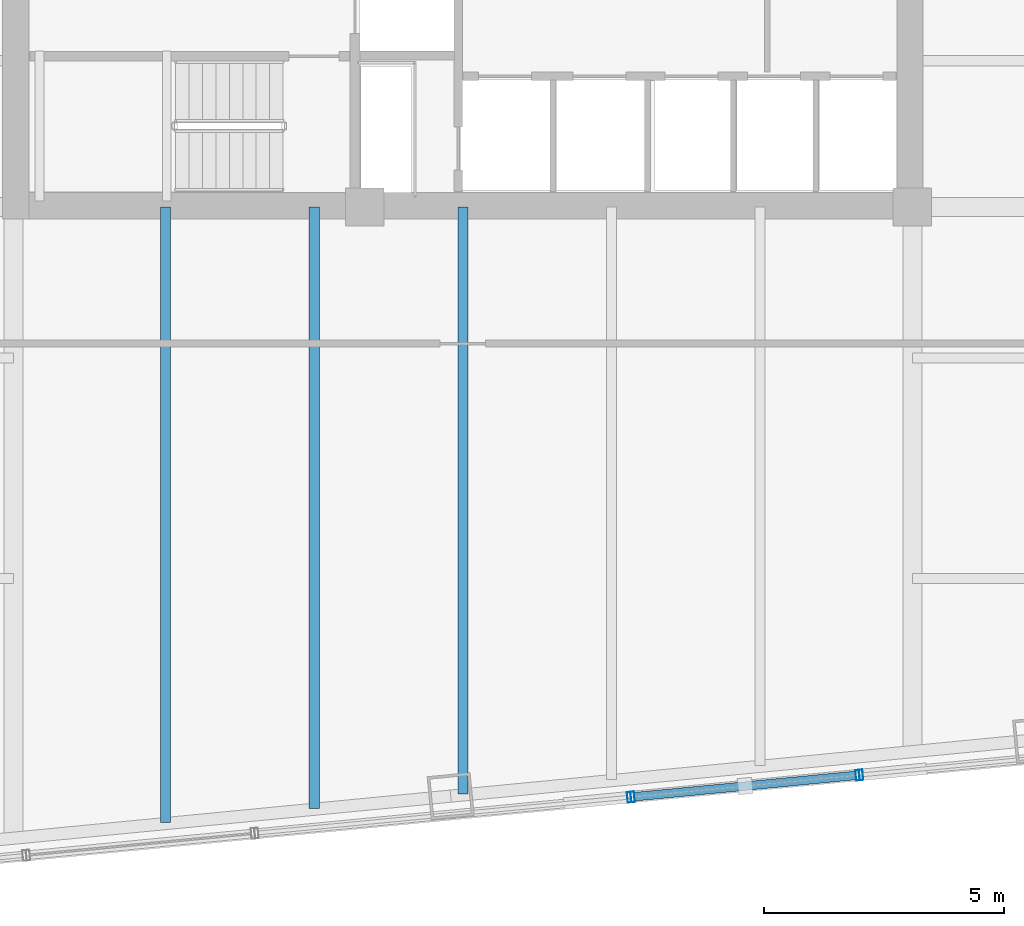
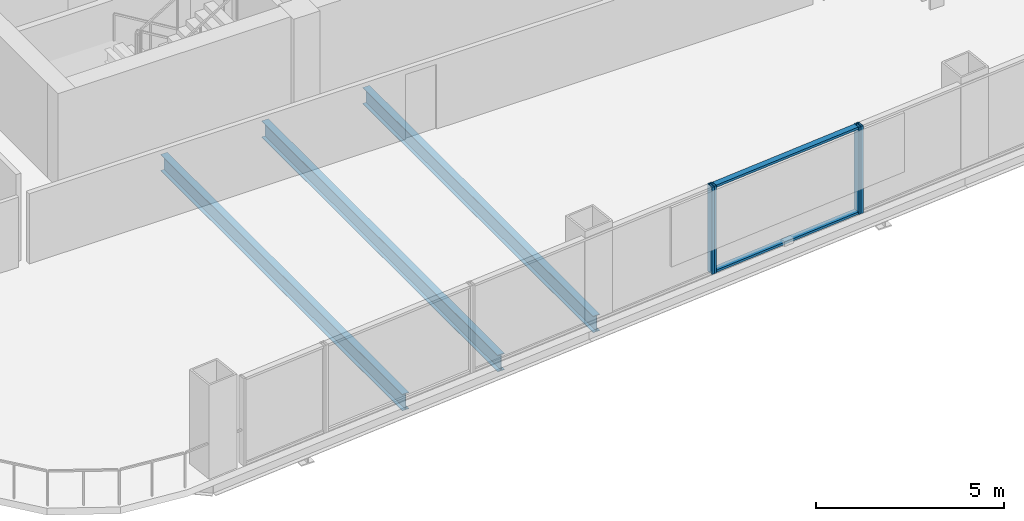
# One storey, part 5 of 27: 6 members, 3 beams, 3 elements without a shape of their own.
"""IFC4 building model written with IfcOpenShell, lengths in metres."""

import ifcopenshell
import ifcopenshell.guid

model = None  # the IFC model being written
_history = None  # IfcOwnerHistory: only IFC2X3 demands one
_inside = {}  # id of a spatial element -> (the spatial element, [elements in it])
_under = {}  # id of a project, library or spatial element -> (it, [spatial elements below it])
_declared = {}  # id of a project -> (the project, [libraries it declares])
_typed = {}  # id of a type object -> (the type object, [elements of that type])
_made_of = {}  # id of a material, layer set ... -> (it, [elements and type objects made of it])


def new_model(schema):
    """Start an empty IFC model of exactly this schema.

    Asked for "IFC4X3", IfcOpenShell would pick the latest addendum, in which some entities
    have other attributes; the version numbers below select the first issue.
    IFC2X3 requires an IfcOwnerHistory on every rooted entity: one is made here for all.
    """
    global model, _history
    if schema == "IFC4X3":
        model = ifcopenshell.file(schema_version=(4, 3, 0, 0))
    else:
        model = ifcopenshell.file(schema=schema)
    _inside.clear()
    _under.clear()
    _declared.clear()
    _typed.clear()
    _made_of.clear()
    _history = None
    if model.schema == "IFC2X3":
        org = make("IfcOrganization", Name="unknown")
        user = make(
            "IfcPersonAndOrganization",
            ThePerson=make("IfcPerson", FamilyName="unknown"),
            TheOrganization=org,
        )
        app = make(
            "IfcApplication",
            ApplicationDeveloper=org,
            Version="unknown",
            ApplicationFullName="unknown",
            ApplicationIdentifier="unknown",
        )
        _history = make(
            "IfcOwnerHistory",
            OwningUser=user,
            OwningApplication=app,
            ChangeAction="ADDED",
            CreationDate=0,
        )
    return model


def make(cls, **values):
    """One entity of the class cls with the attributes given. An attribute that is None is left unset."""
    return model.create_entity(
        cls, **{name: value for name, value in values.items() if value is not None}
    )


def rooted(cls, **values):
    """An entity with a GlobalId (a new one), such as an element, a storey or a relation."""
    return make(cls, GlobalId=ifcopenshell.guid.new(), OwnerHistory=_history, **values)


def si_unit(unit_type, name, prefix=None):
    """IfcSIUnit, for example si_unit("LENGTHUNIT", "METRE", prefix="MILLI")."""
    return make("IfcSIUnit", UnitType=unit_type, Prefix=prefix, Name=name)


def assignment(units):
    """IfcUnitAssignment: the units of a project."""
    return None if units is None else make("IfcUnitAssignment", Units=units)


def point(xyz):
    """IfcCartesianPoint."""
    return None if xyz is None else make("IfcCartesianPoint", Coordinates=xyz)


def direction(xyz):
    """IfcDirection."""
    return None if xyz is None else make("IfcDirection", DirectionRatios=xyz)


def frame(location, z_axis=None, x_axis=None):
    """IfcAxis2Placement3D, a coordinate frame: its origin and axes. An axis left out is left unset."""
    return make(
        "IfcAxis2Placement3D",
        Location=point(location),
        Axis=direction(z_axis),
        RefDirection=direction(x_axis),
    )


def frame_2d(location, x_axis=None):
    """IfcAxis2Placement2D, a coordinate frame in the plane: its origin and x axis."""
    return make(
        "IfcAxis2Placement2D", Location=point(location), RefDirection=direction(x_axis)
    )


def origin():
    """The frame at (0, 0, 0) with its axes left unset."""
    return frame((0.0, 0.0, 0.0))


def origin_2d():
    """The frame at (0, 0) in the plane with its x axis left unset."""
    return frame_2d((0.0, 0.0))


def place(relative_to, where):
    """IfcLocalPlacement: puts the frame where relative to a parent placement (None: the world)."""
    return make(
        "IfcLocalPlacement", PlacementRelTo=relative_to, RelativePlacement=where
    )


def context(
    kind, dimensions, precision=None, world=None, true_north=None, identifier=None
):
    """IfcGeometricRepresentationContext, for example the 3D "Model" context."""
    return make(
        "IfcGeometricRepresentationContext",
        ContextIdentifier=identifier,
        ContextType=kind,
        CoordinateSpaceDimension=dimensions,
        Precision=precision,
        WorldCoordinateSystem=world,
        TrueNorth=true_north,
    )


def subcontext(parent, identifier, kind, view, scale=None):
    """IfcGeometricRepresentationSubContext, for example "Body" below "Model"."""
    return make(
        "IfcGeometricRepresentationSubContext",
        ContextIdentifier=identifier,
        ContextType=kind,
        ParentContext=parent,
        TargetScale=scale,
        TargetView=view,
    )


def project(units=None, contexts=None):
    """IfcProject with its units and contexts."""
    return rooted(
        "IfcProject",
        Name="project",
        RepresentationContexts=contexts,
        UnitsInContext=assignment(units),
    )


def spatial(cls, under=None, at=None, **own):
    """A site, building, storey or space (cls), placed at a placement, below another one or the project."""
    s = rooted(cls, ObjectPlacement=at, **own)
    if under is not None:
        _under.setdefault(under.id(), (under, []))[1].append(s)
    return s


def profile(cls, at=None, kind="AREA", **sizes):
    """A parametric profile (cls). Its sizes go by their IFC names, for example OverallWidth=200.0."""
    return make(cls, ProfileType=kind, Position=at, **sizes)


def hollow_rectangle(**sizes):
    """IfcRectangleHollowProfileDef."""
    return profile("IfcRectangleHollowProfileDef", **sizes)


def i_section(**sizes):
    """IfcIShapeProfileDef."""
    return profile("IfcIShapeProfileDef", **sizes)


def extrude(swept, where, along, depth):
    """IfcExtrudedAreaSolid: the profile swept, set in the frame where, extruded along a direction by depth."""
    return make(
        "IfcExtrudedAreaSolid",
        SweptArea=swept,
        Position=where,
        ExtrudedDirection=direction(along),
        Depth=depth,
    )


def shape(context_of_items, identifier, shape_type, items):
    """IfcShapeRepresentation: the items that make up one representation, for example the "Body"."""
    return make(
        "IfcShapeRepresentation",
        ContextOfItems=context_of_items,
        RepresentationIdentifier=identifier,
        RepresentationType=shape_type,
        Items=items,
    )


def material(Name=None, Category=None):
    """IfcMaterial."""
    return make("IfcMaterial", Name=Name, Category=Category)


def layer(
    of_material, thickness, ventilated=None, Name=None, Category=None, Priority=None
):
    """IfcMaterialLayer: one layer of a wall or slab, of a material (None: an air gap)."""
    return make(
        "IfcMaterialLayer",
        Material=of_material,
        LayerThickness=thickness,
        IsVentilated=ventilated,
        Name=Name,
        Category=Category,
        Priority=Priority,
    )


def layer_set(layers, Name=None):
    """IfcMaterialLayerSet."""
    return make("IfcMaterialLayerSet", MaterialLayers=layers, LayerSetName=Name)


def material_profile(
    of_material, cross_section, Name=None, Category=None, Priority=None
):
    """IfcMaterialProfile: a cross section and its material."""
    return make(
        "IfcMaterialProfile",
        Name=Name,
        Material=of_material,
        Profile=cross_section,
        Priority=Priority,
        Category=Category,
    )


def profile_set(profiles, Name=None, composite=None):
    """IfcMaterialProfileSet."""
    return make(
        "IfcMaterialProfileSet",
        Name=Name,
        MaterialProfiles=profiles,
        CompositeProfile=composite,
    )


def made_of(thing, what):
    """Note that an element or type object is made of a material, layer set ...; save() writes the relation."""
    if what is not None:
        _made_of.setdefault(what.id(), (what, []))[1].append(thing)
    return thing


def type_object(cls, material=None, **own):
    """A type object (cls), such as IfcWallType, which elements share."""
    return made_of(rooted(cls, **own), material)


def element(
    cls,
    number,
    at=None,
    inside=None,
    cuts=None,
    type_object=None,
    material=None,
    context=None,
    identifier="Body",
    shape_type=None,
    held_by="IfcProductDefinitionShape",
    body=None,
    shapes=None,
    **own,
):
    """One element of the class cls, such as IfcWall. Its Tag is "e" and its number.

    at: its placement. inside: the storey or other place that contains it. cuts: it is an
    opening in that element (IfcRelVoidsElement). A single representation is given by context,
    identifier, shape_type and body (its items); several are given by shapes. held_by: the class
    of the entity that holds the representations. save() writes the other relations.
    """
    e = rooted(cls, Tag="e%d" % number, ObjectPlacement=at, **own)
    if body is not None:
        shapes = [shape(context, identifier, shape_type, body)]
    if shapes is not None:
        e.Representation = make(held_by, Representations=shapes)
    if inside is not None:
        _inside.setdefault(inside.id(), (inside, []))[1].append(e)
    if cuts is not None:
        rooted(
            "IfcRelVoidsElement", RelatingBuildingElement=cuts, RelatedOpeningElement=e
        )
    if type_object is not None:
        _typed.setdefault(type_object.id(), (type_object, []))[1].append(e)
    return made_of(e, material)


def aggregate(whole, parts):
    """IfcRelAggregates: a whole, such as a stair, and the parts it consists of."""
    return rooted("IfcRelAggregates", RelatingObject=whole, RelatedObjects=parts)


def save(model, path):
    """Write the relations noted so far, then the file.

    IfcRelAggregates (storeys below a building ...), IfcRelContainedInSpatialStructure (elements
    in a storey), IfcRelDefinesByType, IfcRelAssociatesMaterial and IfcRelDeclares: one each for
    every whole, place, type object, material and project.
    """
    for whole, parts in _under.values():
        aggregate(whole, parts)
    for where, things in _inside.values():
        rooted(
            "IfcRelContainedInSpatialStructure",
            RelatedElements=things,
            RelatingStructure=where,
        )
    for kind, things in _typed.values():
        rooted("IfcRelDefinesByType", RelatedObjects=things, RelatingType=kind)
    for what, things in _made_of.values():
        rooted("IfcRelAssociatesMaterial", RelatedObjects=things, RelatingMaterial=what)
    for by, libraries in _declared.values():
        rooted("IfcRelDeclares", RelatingContext=by, RelatedDefinitions=libraries)
    model.write(path)


model = new_model("IFC4")

# Units and contexts
model_context = context("Model", 3, precision=1e-05, world=origin(), true_north=direction((0.0, 1.0)))
body_context = subcontext(model_context, "Body", "Model", "MODEL_VIEW")
ifc_project = project(units=[si_unit("LENGTHUNIT", "METRE"), si_unit("AREAUNIT", "SQUARE_METRE"), si_unit("VOLUMEUNIT", "CUBIC_METRE"), si_unit("PLANEANGLEUNIT", "RADIAN"), si_unit("MASSUNIT", "GRAM", prefix="KILO")], contexts=[model_context])

# Site, building, storey
site_placement = place(None, origin())
site = spatial("IfcSite", under=ifc_project, at=site_placement, CompositionType="ELEMENT")
building_placement = place(site_placement, origin())
building = spatial("IfcBuilding", under=site, at=building_placement, Name="Qhalaya Broadcast Tower", CompositionType="ELEMENT")
storey_placement = place(building_placement, frame((0.0, 0.0, 75.550048828125)))
storey = spatial("IfcBuildingStorey", under=building, at=storey_placement, Name="L21", CompositionType="ELEMENT", Elevation=75.550048828125)

# Beams
ifc_material_1 = material(Name="Structural Steel ASTM A992 Grade 50", Category="steel")
ifc_material_profile_1 = material_profile(ifc_material_1, i_section(OverallWidth=0.2099609375, OverallDepth=0.535888671875, WebThickness=0.010986328125, FlangeThickness=0.017333984375, at=origin_2d()), Name="W21X68")
ifc_profile_set_1 = profile_set([ifc_material_profile_1], Name="Structural Steel ASTM A992 Grade 50")
beam_type = type_object("IfcBeamType", Name="Composite Floor Joist J02", PredefinedType="JOIST", material=ifc_profile_set_1)
beam_1_placement = place(storey_placement, frame((-6.199951171875, -21.589111328125, -0.488037109375), z_axis=(0.0, 1.0, 0.0), x_axis=(-1.0, 0.0, 0.0)))
element("IfcBeam", 1, at=beam_1_placement, inside=storey, type_object=beam_type, Name="L21 J02 L21-JNS1-1", PredefinedType="JOIST", context=body_context, shape_type="SweptSolid", body=[
    extrude(i_section(OverallWidth=0.2099609375, OverallDepth=0.535888671875, WebThickness=0.010986328125, FlangeThickness=0.017333984375, at=origin_2d()), origin(), (0.0, 0.0, 1.0), 12.839111328125),
])
beam_2_placement = place(storey_placement, frame((-3.10009765625, -21.290771484375, -0.488037109375), z_axis=(0.0, 1.0, 0.0), x_axis=(-1.0, 0.0, 0.0)))
element("IfcBeam", 2, at=beam_2_placement, inside=storey, type_object=beam_type, Name="L21 J02 L21-JNS2-1", PredefinedType="JOIST", context=body_context, shape_type="SweptSolid", body=[
    extrude(i_section(OverallWidth=0.2099609375, OverallDepth=0.535888671875, WebThickness=0.010986328125, FlangeThickness=0.017333984375, at=origin_2d()), origin(), (0.0, 0.0, 1.0), 12.540771484375),
])
beam_3_placement = place(storey_placement, frame((0.0, -20.9921875, -0.488037109375), z_axis=(0.0, 1.0, 0.0), x_axis=(-1.0, 0.0, 0.0)))
element("IfcBeam", 3, at=beam_3_placement, inside=storey, type_object=beam_type, Name="L21 J02 L21-JNS3-1", PredefinedType="JOIST", context=body_context, shape_type="SweptSolid", body=[
    extrude(i_section(OverallWidth=0.2099609375, OverallDepth=0.535888671875, WebThickness=0.010986328125, FlangeThickness=0.017333984375, at=origin_2d()), origin(), (0.0, 0.0, 1.0), 12.2421875),
])

# Curtain wall, member
ifc_material_2 = material(Name="Fired Architectural Terracotta", Category="masonry")
ifc_layer_1 = layer(ifc_material_2, 0.219970703125, Name="Fired Architectural Terracotta")
ifc_layer_set_1 = layer_set([ifc_layer_1], Name="Fired Architectural Terracotta")
curtain_wall_type_1 = type_object("IfcCurtainWallType", Name="Block-Cap Unitised Terracotta Spandrel Wall CW-07", PredefinedType="NOTDEFINED", material=ifc_layer_set_1)
curtain_wall_1_placement = place(storey_placement, origin())
curtain_wall_1 = element("IfcCurtainWall", 4, at=curtain_wall_1_placement, inside=storey, type_object=curtain_wall_type_1, Name="L21 Unitised Curtain Wall L21-CW-S3", PredefinedType="NOTDEFINED")
ifc_material_3 = material(Name="Anodised Aluminium 6063-T6", Category="aluminium")
ifc_material_profile_2 = material_profile(ifc_material_3, hollow_rectangle(XDim=0.074951171875, YDim=0.219970703125, WallThickness=0.00390625, at=origin_2d()), Name="ALU-MUL 75x220x4")
ifc_profile_set_2 = profile_set([ifc_material_profile_2], Name="Anodised Aluminium 6063-T6")
member_type_1 = type_object("IfcMemberType", Name="Unitised Curtain-Wall Mullion M01", PredefinedType="MULLION", material=ifc_profile_set_2)
member_1_placement = place(storey_placement, frame((3.467041015625, -21.060302734375, 0.0), z_axis=(0.0, 0.0, 1.0), x_axis=(0.995396908899, 0.095838373083, 0.0)))
member_1 = element("IfcMember", 5, at=member_1_placement, type_object=member_type_1, Name="CW-07 mullion 2", PredefinedType="MULLION", context=body_context, shape_type="SweptSolid", body=[
    extrude(hollow_rectangle(XDim=0.074951171875, YDim=0.219970703125, WallThickness=0.00390625, at=origin_2d()), origin(), (0.0, 0.0, 1.0), 2.829833984375),
])
aggregate(curtain_wall_1, [member_1])

# Curtain wall, members
ifc_material_4 = material(Name="Solar-Control Low-E Triple Glazing", Category="glass")
ifc_layer_2 = layer(ifc_material_4, 0.219970703125, Name="Solar-Control Low-E Triple Glazing")
ifc_layer_set_2 = layer_set([ifc_layer_2], Name="Solar-Control Low-E Triple Glazing")
curtain_wall_type_2 = type_object("IfcCurtainWallType", Name="Even-Block 4-Storey Double-Module Curtain Wall CW-03", PredefinedType="NOTDEFINED", material=ifc_layer_set_2)
curtain_wall_2_placement = place(storey_placement, origin())
curtain_wall_2 = element("IfcCurtainWall", 6, at=curtain_wall_2_placement, inside=storey, type_object=curtain_wall_type_2, Name="L21 Unitised Curtain Wall L21-CW-S4", PredefinedType="NOTDEFINED")
member_2_placement = place(storey_placement, frame((3.541748046875, -21.05322265625, 0.0), z_axis=(0.0, 0.0, 1.0), x_axis=(0.995394623965, 0.095862101904, 0.0)))
member_2 = element("IfcMember", 7, at=member_2_placement, type_object=member_type_1, Name="CW-03 mullion 1", PredefinedType="MULLION", context=body_context, shape_type="SweptSolid", body=[
    extrude(hollow_rectangle(XDim=0.074951171875, YDim=0.219970703125, WallThickness=0.00390625, at=origin_2d()), origin(), (0.0, 0.0, 1.0), 2.829833984375),
])
member_3_placement = place(storey_placement, frame((8.23095703125, -20.6015625, 0.0), z_axis=(0.0, 0.0, 1.0), x_axis=(0.995394623965, 0.095862101904, 0.0)))
member_3 = element("IfcMember", 8, at=member_3_placement, type_object=member_type_1, Name="CW-03 mullion 2", PredefinedType="MULLION", context=body_context, shape_type="SweptSolid", body=[
    extrude(hollow_rectangle(XDim=0.074951171875, YDim=0.219970703125, WallThickness=0.00390625, at=origin_2d()), origin(), (0.0, 0.0, 1.0), 2.829833984375),
])

# Curtain wall, member
curtain_wall_3_placement = place(storey_placement, origin())
curtain_wall_3 = element("IfcCurtainWall", 9, at=curtain_wall_3_placement, inside=storey, type_object=curtain_wall_type_1, Name="L21 Unitised Curtain Wall L21-CW-S5", PredefinedType="NOTDEFINED")
member_4_placement = place(storey_placement, frame((8.3056640625, -20.59423828125, 0.0), z_axis=(0.0, 0.0, 1.0), x_axis=(0.995396908899, 0.095838373083, 0.0)))
member_4 = element("IfcMember", 10, at=member_4_placement, type_object=member_type_1, Name="CW-07 mullion 1", PredefinedType="MULLION", context=body_context, shape_type="SweptSolid", body=[
    extrude(hollow_rectangle(XDim=0.074951171875, YDim=0.219970703125, WallThickness=0.00390625, at=origin_2d()), origin(), (0.0, 0.0, 1.0), 2.829833984375),
])
aggregate(curtain_wall_3, [member_4])

# Member
ifc_material_profile_3 = material_profile(ifc_material_3, hollow_rectangle(XDim=0.074951171875, YDim=0.179931640625, WallThickness=0.00390625, at=origin_2d()), Name="ALU-TRN 75x180x4")
ifc_profile_set_3 = profile_set([ifc_material_profile_3], Name="Anodised Aluminium 6063-T6")
member_type_2 = type_object("IfcMemberType", Name="Unitised Curtain-Wall Transom T01", PredefinedType="USERDEFINED", material=ifc_profile_set_3)
member_5_placement = place(storey_placement, frame((3.578857421875, -21.049560546875, 0.037353515625), z_axis=(0.995391452368, 0.09589502882, 0.0), x_axis=(0.0, 0.0, 1.0)))
member_5 = element("IfcMember", 11, at=member_5_placement, type_object=member_type_2, Name="CW-03 transom 1.1", ObjectType="TRANSOM", PredefinedType="USERDEFINED", context=body_context, shape_type="SweptSolid", body=[
    extrude(hollow_rectangle(XDim=0.074951171875, YDim=0.179931640625, WallThickness=0.00390625, at=origin_2d()), origin(), (0.0, 0.0, 1.0), 4.63623046875),
])

member_6_placement = place(storey_placement, frame((3.578857421875, -21.049560546875, 2.79248046875), z_axis=(0.995391452368, 0.09589502882, 0.0), x_axis=(0.0, 0.0, 1.0)))
member_6 = element("IfcMember", 12, at=member_6_placement, type_object=member_type_2, Name="CW-03 transom 1.2", ObjectType="TRANSOM", PredefinedType="USERDEFINED", context=body_context, shape_type="SweptSolid", body=[
    extrude(hollow_rectangle(XDim=0.074951171875, YDim=0.179931640625, WallThickness=0.00390625, at=origin_2d()), origin(), (0.0, 0.0, 1.0), 4.63623046875),
])

aggregate(curtain_wall_2, [member_2, member_3, member_5, member_6])

save(model, "model.ifc")
